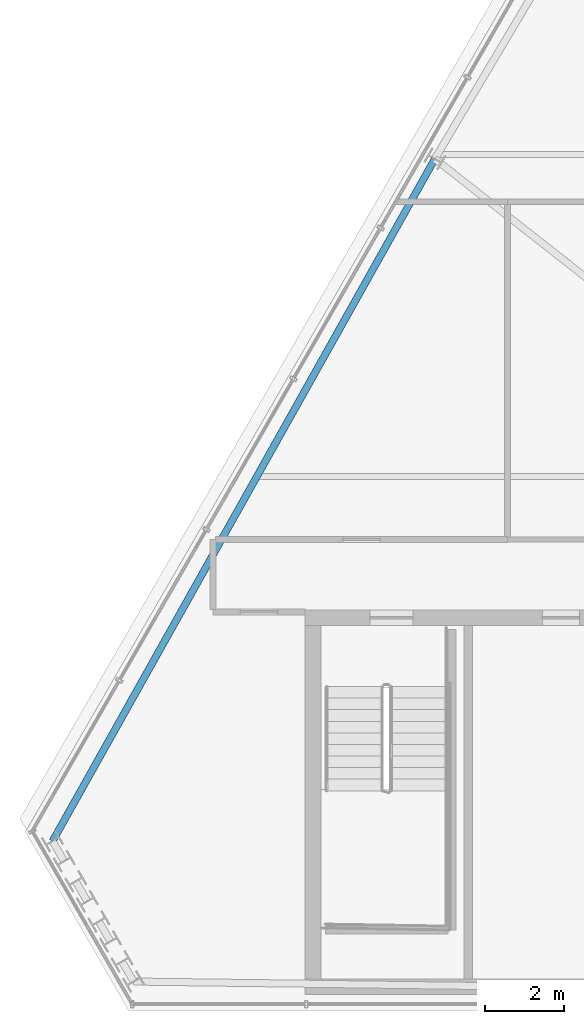
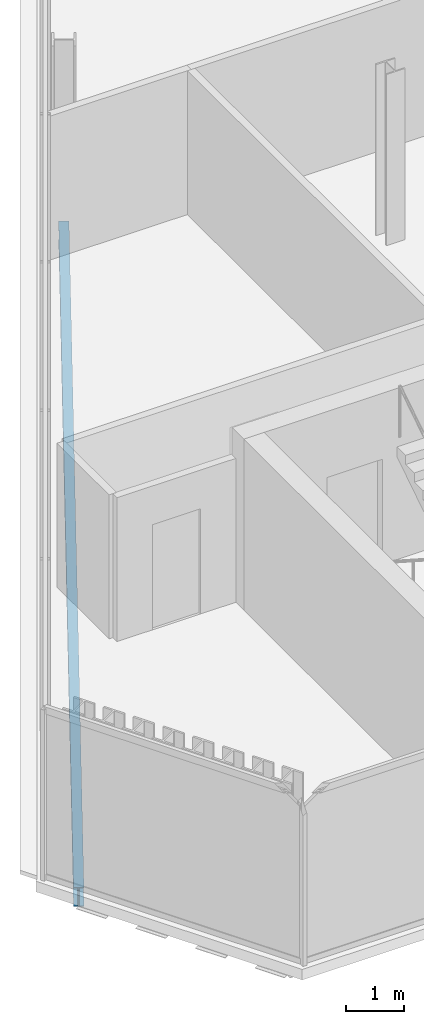
# One storey, part 7 of 35: 1 beam.
"""IFC4 building model written with IfcOpenShell, lengths in metres."""

from ifc_helpers import new_model, si_unit, direction, frame, origin, origin_2d, place, context, subcontext, project, spatial, i_section, extrude, material, material_profile, profile_set, type_object, element, save


model = new_model("IFC4")

# Units and contexts
model_context = context("Model", 3, precision=1e-05, world=origin(), true_north=direction((0.0, 1.0)))
body_context = subcontext(model_context, "Body", "Model", "MODEL_VIEW")
ifc_project = project(units=[si_unit("LENGTHUNIT", "METRE"), si_unit("AREAUNIT", "SQUARE_METRE"), si_unit("VOLUMEUNIT", "CUBIC_METRE"), si_unit("PLANEANGLEUNIT", "RADIAN"), si_unit("MASSUNIT", "GRAM", prefix="KILO")], contexts=[model_context])

# Site, building, storey
site_placement = place(None, origin())
site = spatial("IfcSite", under=ifc_project, at=site_placement, CompositionType="ELEMENT")
building_placement = place(site_placement, origin())
building = spatial("IfcBuilding", under=site, at=building_placement, Name="Ndaravel Arena Tower", CompositionType="ELEMENT")
storey_placement = place(building_placement, frame((0.0, 0.0, 271.199951171875)))
storey = spatial("IfcBuildingStorey", under=building, at=storey_placement, Name="L66", CompositionType="ELEMENT", Elevation=271.199951171875)

# Beam
ifc_material = material(Name="Steel S355", Category="steel")
ifc_material_profile = material_profile(ifc_material, i_section(OverallWidth=0.179931640625, OverallDepth=0.39990234375, WebThickness=0.008544921875, FlangeThickness=0.013427734375, FilletRadius=0.02099609375, at=origin_2d()), Name="IPE 400")
ifc_profile_set = profile_set([ifc_material_profile], Name="Steel S355")
beam_type = type_object("IfcBeamType", Name="BM-SPAN-IPE400", PredefinedType="SPANDREL", material=ifc_profile_set)
beam_placement = place(storey_placement, frame((29.752685546875, 26.69287109375, -0.419921875), z_axis=(-0.488846264498, -0.872369950013, 0.0), x_axis=(0.872369950013, -0.488846264498, 0.0)))
element("IfcBeam", 1, at=beam_placement, inside=storey, type_object=beam_type, Name="L66 Perimeter Spandrel Beam SP-19", PredefinedType="SPANDREL", context=body_context, shape_type="SweptSolid", body=[
    extrude(i_section(OverallWidth=0.179931640625, OverallDepth=0.39990234375, WebThickness=0.008544921875, FlangeThickness=0.013427734375, FilletRadius=0.02099609375, at=origin_2d()), origin(), (0.0, 0.0, 1.0), 19.92333984375),
])

save(model, "model.ifc")
